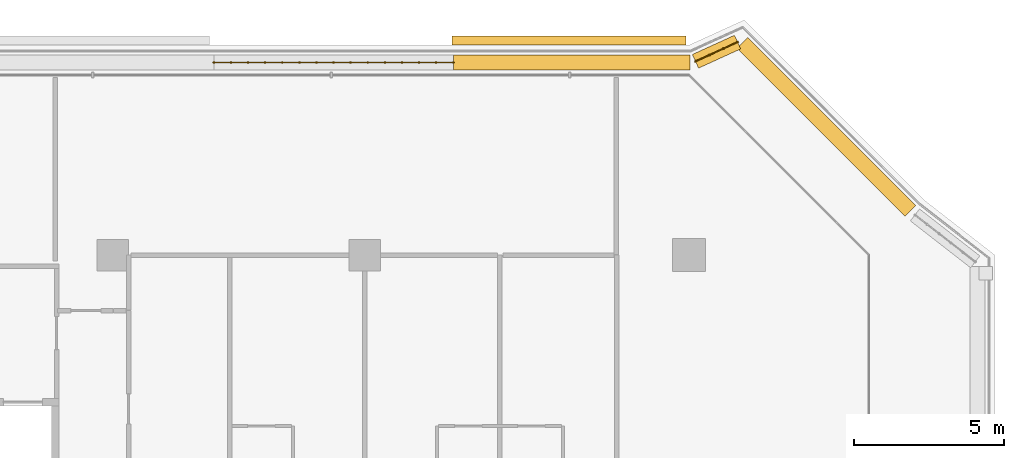
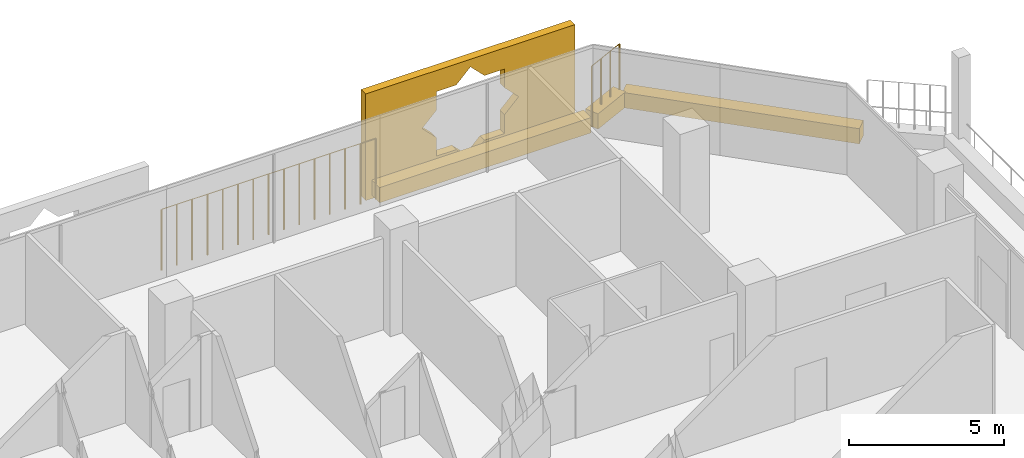
# One storey, part 25 of 25: 4 coverings, 2 railings.
"""IFC4 building model written with IfcOpenShell, lengths in metres."""

from ifc_helpers import new_model, si_unit, direction, frame, origin, origin_2d, place, context, subcontext, project, spatial, polyline, rectangle, circle, outline, extrude, material, material_profile, profile_set, type_object, element, save


model = new_model("IFC4")

# Units and contexts
model_context = context("Model", 3, precision=1e-05, world=origin(), true_north=direction((0.0, 1.0)))
body_context = subcontext(model_context, "Body", "Model", "MODEL_VIEW")
ifc_project = project(units=[si_unit("LENGTHUNIT", "METRE"), si_unit("AREAUNIT", "SQUARE_METRE"), si_unit("VOLUMEUNIT", "CUBIC_METRE"), si_unit("PLANEANGLEUNIT", "RADIAN"), si_unit("MASSUNIT", "GRAM", prefix="KILO")], contexts=[model_context])

# Site, building, storey
site_placement = place(None, origin())
site = spatial("IfcSite", under=ifc_project, at=site_placement, CompositionType="ELEMENT")
building_placement = place(site_placement, origin())
building = spatial("IfcBuilding", under=site, at=building_placement, Name="Kawkab Arch Medical Tower", CompositionType="ELEMENT")
storey_placement = place(building_placement, frame((0.0, 0.0, 124.0)))
storey = spatial("IfcBuildingStorey", under=building, at=storey_placement, Name="L28", CompositionType="ELEMENT", Elevation=124.0)

# Coverings
ifc_material_1 = material(Name="Bronze anodised aluminium mashrabiya panel, eight-point star pattern", Category="aluminium")
ifc_material_profile_1 = material_profile(ifc_material_1, outline(polyline([(-3.89990234375, -2.10009765625), (3.89990234375, -2.10009765625), (3.89990234375, 2.10009765625), (-3.89990234375, 2.10009765625), (-3.89990234375, -2.10009765625)]), holes=[polyline([(1.800048828125, 0.0), (1.272705078125, 0.527099609375), (1.272705078125, 1.272705078125), (0.527099609375, 1.272705078125), (0.0, 1.800048828125), (-0.527099609375, 1.272705078125), (-1.272705078125, 1.272705078125), (-1.272705078125, 0.527099609375), (-1.800048828125, 0.0), (-1.272705078125, -0.527099609375), (-1.272705078125, -1.272705078125), (-0.527099609375, -1.272705078125), (0.0, -1.800048828125), (0.527099609375, -1.272705078125), (1.272705078125, -1.272705078125), (1.272705078125, -0.527099609375), (1.800048828125, 0.0)])]), Name="Mashrabiya panel 7800x4200")
ifc_profile_set_1 = profile_set([ifc_material_profile_1], Name="Bronze anodised aluminium mashrabiya panel, eight-point star pattern")
covering_type_1 = type_object("IfcCoveringType", Name="Mashrabiya panel 7800 x 4200", PredefinedType="USERDEFINED", material=ifc_profile_set_1)
covering_1_placement = place(storey_placement, frame((65.60693359375, 7.0, 1.699951171875), z_axis=(0.0, 1.0, 0.0), x_axis=(-1.0, 0.0, 0.0)))
element("IfcCovering", 1, at=covering_1_placement, inside=storey, type_object=covering_type_1, Name="Mashrabiya panel L28.LOG-01-01.9", ObjectType="SCREEN", PredefinedType="USERDEFINED", context=body_context, shape_type="SweptSolid", body=[
    extrude(outline(polyline([(-3.89990234375, -2.10009765625), (3.89990234375, -2.10009765625), (3.89990234375, 2.10009765625), (-3.89990234375, 2.10009765625), (-3.89990234375, -2.10009765625)]), holes=[polyline([(1.800048828125, 0.0), (1.272705078125, 0.527099609375), (1.272705078125, 1.272705078125), (0.527099609375, 1.272705078125), (0.0, 1.800048828125), (-0.527099609375, 1.272705078125), (-1.272705078125, 1.272705078125), (-1.272705078125, 0.527099609375), (-1.800048828125, 0.0), (-1.272705078125, -0.527099609375), (-1.272705078125, -1.272705078125), (-0.527099609375, -1.272705078125), (0.0, -1.800048828125), (0.527099609375, -1.272705078125), (1.272705078125, -1.272705078125), (1.272705078125, -0.527099609375), (1.800048828125, 0.0)])]), origin(), (0.0, 0.0, 1.0), 0.300048828125),
])
ifc_material_2 = material(Name="Planting soil in a precast trough", Category="concrete")
ifc_material_profile_2 = material_profile(ifc_material_2, rectangle(XDim=0.5, YDim=0.60009765625, at=origin_2d()), Name="Trough 500x600")
ifc_profile_set_2 = profile_set([ifc_material_profile_2], Name="Planting soil in a precast trough")
covering_type_2 = type_object("IfcCoveringType", Name="Planter trough 500 x 600", PredefinedType="USERDEFINED", material=ifc_profile_set_2)
covering_2_placement = place(storey_placement, frame((61.743896484375, 6.419921875, 0.300048828125), z_axis=(1.0, 0.0, 0.0), x_axis=(0.0, 1.0, 0.0)))
element("IfcCovering", 2, at=covering_2_placement, inside=storey, type_object=covering_type_2, Name="Planter L28.LOG-01-01.24", ObjectType="PLANTER", PredefinedType="USERDEFINED", context=body_context, shape_type="SweptSolid", body=[
    extrude(rectangle(XDim=0.5, YDim=0.60009765625, at=origin_2d()), origin(), (0.0, 0.0, 1.0), 7.882080078125),
])
covering_3_placement = place(storey_placement, frame((69.81689453125, 6.4609375, 0.300048828125), z_axis=(0.909655525109, 0.415363486165, 0.0), x_axis=(-0.415363486165, 0.909655525109, 0.0)))
element("IfcCovering", 3, at=covering_3_placement, inside=storey, type_object=covering_type_2, Name="Planter L28.LOG-01-01.25", ObjectType="PLANTER", PredefinedType="USERDEFINED", context=body_context, shape_type="SweptSolid", body=[
    extrude(rectangle(XDim=0.5, YDim=0.60009765625, at=origin_2d()), origin(), (0.0, 0.0, 1.0), 1.54345703125),
])
covering_4_placement = place(storey_placement, frame((71.383056640625, 7.072998046875, 0.300048828125), z_axis=(0.707091367247, -0.70712219479, 0.0), x_axis=(0.70712219479, 0.707091367247, 0.0)))
element("IfcCovering", 4, at=covering_4_placement, inside=storey, type_object=covering_type_2, Name="Planter L28.LOG-01-01.26", ObjectType="PLANTER", PredefinedType="USERDEFINED", context=body_context, shape_type="SweptSolid", body=[
    extrude(rectangle(XDim=0.5, YDim=0.60009765625, at=origin_2d()), origin(), (0.0, 0.0, 1.0), 7.919677734375),
])

# Railings
ifc_material_3 = material(Name="Bronze anodised aluminium trellis for climbing plants", Category="aluminium")
railing_type = type_object("IfcRailingType", Name="Planting trellis 2400", PredefinedType="USERDEFINED", material=ifc_material_3)
railing_1_placement = place(storey_placement, frame((53.762939453125, 6.419921875, 0.0)))
element("IfcRailing", 5, at=railing_1_placement, inside=storey, type_object=railing_type, Name="Planting trellis L28.LOG-01-01.23", ObjectType="TRELLIS", PredefinedType="USERDEFINED", context=body_context, shape_type="SweptSolid", body=[
    extrude(circle(Radius=0.01513671875, at=origin_2d()), frame((0.0, 0.0, 2.384765625), z_axis=(1.0, 0.0, 0.0), x_axis=(0.0, 1.0, 0.0)), (0.0, 0.0, 1.0), 7.98095703125),
    extrude(circle(Radius=0.030029296875, at=origin_2d()), origin(), (0.0, 0.0, 1.0), 2.369873046875),
    extrude(circle(Radius=0.030029296875, at=origin_2d()), frame((0.570068359375, 0.0, 0.0)), (0.0, 0.0, 1.0), 2.369873046875),
    extrude(circle(Radius=0.030029296875, at=origin_2d()), frame((1.14013671875, 0.0, 0.0)), (0.0, 0.0, 1.0), 2.369873046875),
    extrude(circle(Radius=0.030029296875, at=origin_2d()), frame((1.710205078125, 0.0, 0.0)), (0.0, 0.0, 1.0), 2.369873046875),
    extrude(circle(Radius=0.030029296875, at=origin_2d()), frame((2.2802734375, 0.0, 0.0)), (0.0, 0.0, 1.0), 2.369873046875),
    extrude(circle(Radius=0.030029296875, at=origin_2d()), frame((2.850341796875, 0.0, 0.0)), (0.0, 0.0, 1.0), 2.369873046875),
    extrude(circle(Radius=0.030029296875, at=origin_2d()), frame((3.42041015625, 0.0, 0.0)), (0.0, 0.0, 1.0), 2.369873046875),
    extrude(circle(Radius=0.030029296875, at=origin_2d()), frame((3.990478515625, 0.0, 0.0)), (0.0, 0.0, 1.0), 2.369873046875),
    extrude(circle(Radius=0.030029296875, at=origin_2d()), frame((4.560546875, 0.0, 0.0)), (0.0, 0.0, 1.0), 2.369873046875),
    extrude(circle(Radius=0.030029296875, at=origin_2d()), frame((5.130615234375, 0.0, 0.0)), (0.0, 0.0, 1.0), 2.369873046875),
    extrude(circle(Radius=0.030029296875, at=origin_2d()), frame((5.70068359375, 0.0, 0.0)), (0.0, 0.0, 1.0), 2.369873046875),
    extrude(circle(Radius=0.030029296875, at=origin_2d()), frame((6.270751953125, 0.0, 0.0)), (0.0, 0.0, 1.0), 2.369873046875),
    extrude(circle(Radius=0.030029296875, at=origin_2d()), frame((6.8408203125, 0.0, 0.0)), (0.0, 0.0, 1.0), 2.369873046875),
    extrude(circle(Radius=0.030029296875, at=origin_2d()), frame((7.410888671875, 0.0, 0.0)), (0.0, 0.0, 1.0), 2.369873046875),
    extrude(circle(Radius=0.030029296875, at=origin_2d()), frame((7.98095703125, 0.0, 0.0)), (0.0, 0.0, 1.0), 2.369873046875),
])
railing_2_placement = place(storey_placement, frame((69.81689453125, 6.4609375, 0.0)))
element("IfcRailing", 6, at=railing_2_placement, inside=storey, type_object=railing_type, Name="Planting trellis L28.LOG-01-01.25", ObjectType="TRELLIS", PredefinedType="USERDEFINED", context=body_context, shape_type="SweptSolid", body=[
    extrude(circle(Radius=0.01513671875, at=origin_2d()), frame((0.0, 0.0, 2.384765625), z_axis=(0.909655525109, 0.415363486165, 0.0), x_axis=(-0.415363486165, 0.909655525109, 0.0)), (0.0, 0.0, 1.0), 1.54345703125),
    extrude(circle(Radius=0.030029296875, at=origin_2d()), origin(), (0.0, 0.0, 1.0), 2.369873046875),
    extrude(circle(Radius=0.030029296875, at=origin_2d()), frame((0.468017578125, 0.213623046875, 0.0)), (0.0, 0.0, 1.0), 2.369873046875),
    extrude(circle(Radius=0.030029296875, at=origin_2d()), frame((0.93603515625, 0.427490234375, 0.0)), (0.0, 0.0, 1.0), 2.369873046875),
    extrude(circle(Radius=0.030029296875, at=origin_2d()), frame((1.404052734375, 0.64111328125, 0.0)), (0.0, 0.0, 1.0), 2.369873046875),
])

save(model, "model.ifc")
